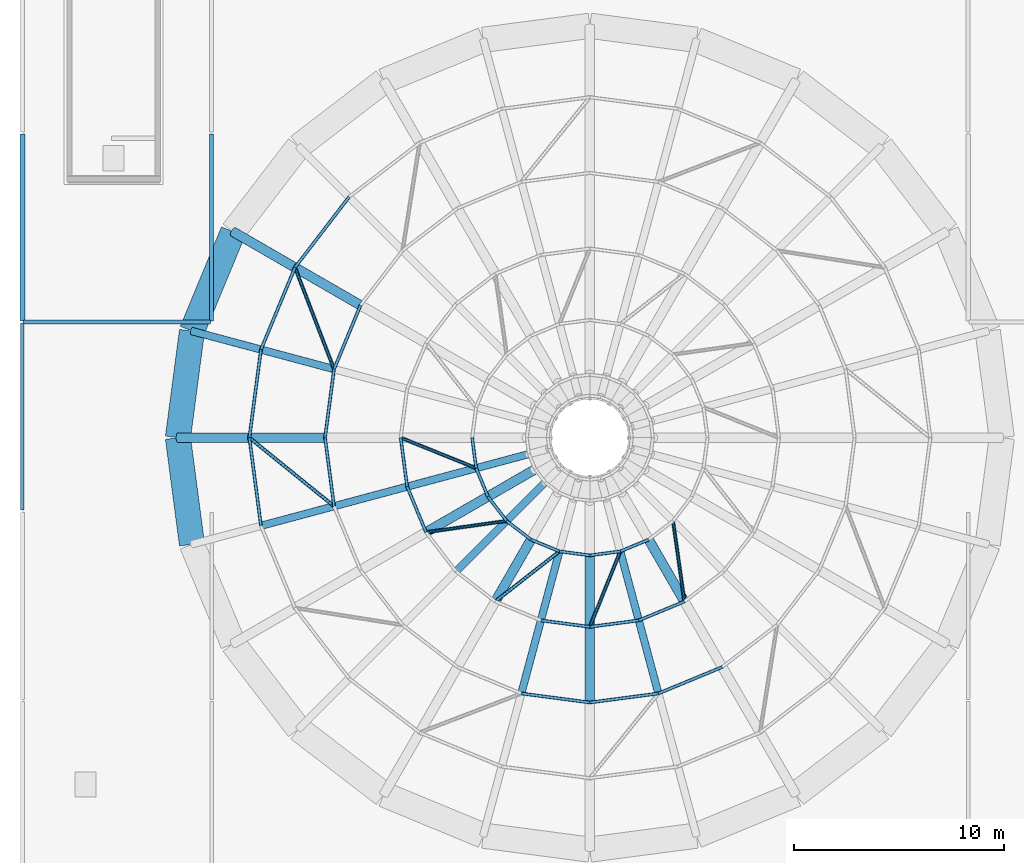
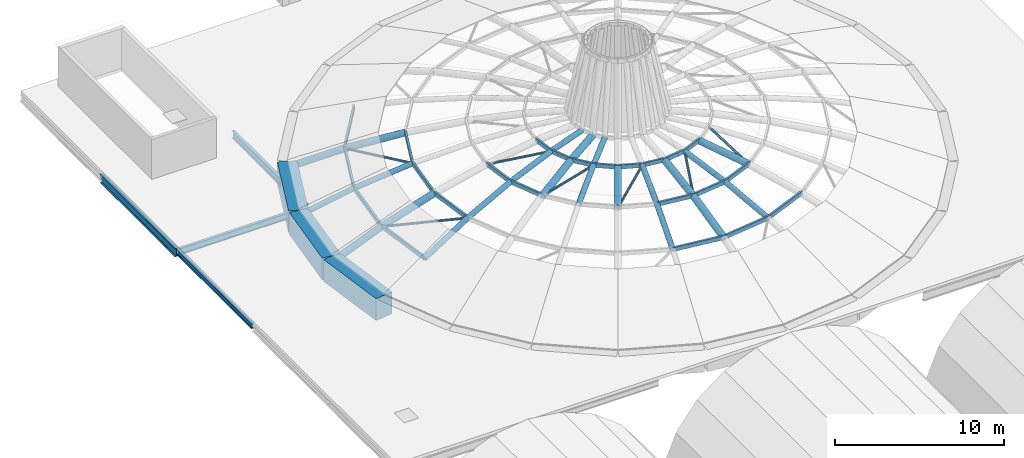
# One storey, part 8 of 25: 52 members, 7 beams.
"""IFC4 building model written with IfcOpenShell, lengths in metres."""

from ifc_helpers import new_model, si_unit, direction, frame, origin, origin_2d, place, context, subcontext, project, spatial, rectangle, hollow_rectangle, hollow_circle, i_section, extrude, material, material_profile, profile_set, type_object, element, save


model = new_model("IFC4")

# Units and contexts
model_context = context("Model", 3, precision=1e-05, world=origin(), true_north=direction((0.0, 1.0)))
body_context = subcontext(model_context, "Body", "Model", "MODEL_VIEW")
ifc_project = project(units=[si_unit("LENGTHUNIT", "METRE"), si_unit("AREAUNIT", "SQUARE_METRE"), si_unit("VOLUMEUNIT", "CUBIC_METRE"), si_unit("PLANEANGLEUNIT", "RADIAN"), si_unit("MASSUNIT", "GRAM", prefix="KILO")], contexts=[model_context])

# Site, building, storey
site_placement = place(None, origin())
site = spatial("IfcSite", under=ifc_project, at=site_placement, CompositionType="ELEMENT")
building_placement = place(site_placement, origin())
building = spatial("IfcBuilding", under=site, at=building_placement, Name="Marnock Terrace Opera House", CompositionType="ELEMENT")
storey_placement = place(building_placement, frame((0.0, 0.0, 28.199951171875)))
storey = spatial("IfcBuildingStorey", under=building, at=storey_placement, Name="RF", CompositionType="ELEMENT", Elevation=28.199951171875)

# Beams
ifc_material_1 = material(Name="Steel Grade 350 (AS/NZS 3679.1)", Category="steel")
ifc_material_profile_1 = material_profile(ifc_material_1, i_section(OverallWidth=0.1708984375, OverallDepth=0.355712890625, WebThickness=0.00732421875, FlangeThickness=0.011474609375, FilletRadius=0.011474609375, at=origin_2d()))
ifc_profile_set_1 = profile_set([ifc_material_profile_1], Name="Steel Grade 350 (AS/NZS 3679.1)")
beam_type_1 = type_object("IfcBeamType", Name="BM-GIRD-360", PredefinedType="BEAM", material=ifc_profile_set_1)
beam_1_placement = place(storey_placement, frame((55.0, 57.050048828125, -0.397705078125), z_axis=(0.0, 1.0, 0.0), x_axis=(-1.0, 0.0, 0.0)))
element("IfcBeam", 1, at=beam_1_placement, inside=storey, type_object=beam_type_1, Name="RF girder (X=55.0, 57.0..66.0)", PredefinedType="BEAM", context=body_context, shape_type="SweptSolid", body=[
    extrude(i_section(OverallWidth=0.1708984375, OverallDepth=0.355712890625, WebThickness=0.00732421875, FlangeThickness=0.011474609375, FilletRadius=0.011474609375, at=origin_2d()), origin(), (0.0, 0.0, 1.0), 8.89990234375),
])
ifc_material_profile_2 = material_profile(ifc_material_1, i_section(OverallWidth=0.19091796875, OverallDepth=0.46044921875, WebThickness=0.010009765625, FlangeThickness=0.01611328125, FilletRadius=0.011474609375, at=origin_2d()))
ifc_profile_set_2 = profile_set([ifc_material_profile_2], Name="Steel Grade 350 (AS/NZS 3679.1)")
beam_type_2 = type_object("IfcBeamType", Name="BM-GIRD-460A", PredefinedType="BEAM", material=ifc_profile_set_2)
beam_2_placement = place(storey_placement, frame((55.050048828125, 66.0, -0.4501953125), z_axis=(1.0, 0.0, 0.0), x_axis=(0.0, 1.0, 0.0)))
element("IfcBeam", 2, at=beam_2_placement, inside=storey, type_object=beam_type_2, Name="RF girder (55.0..64.0, Y=66.0)", PredefinedType="BEAM", context=body_context, shape_type="SweptSolid", body=[
    extrude(i_section(OverallWidth=0.19091796875, OverallDepth=0.46044921875, WebThickness=0.010009765625, FlangeThickness=0.01611328125, FilletRadius=0.011474609375, at=origin_2d()), origin(), (0.0, 0.0, 1.0), 8.89990234375),
])
ifc_material_profile_3 = material_profile(ifc_material_1, i_section(OverallWidth=0.208984375, OverallDepth=0.528076171875, WebThickness=0.009521484375, FlangeThickness=0.01318359375, FilletRadius=0.013916015625, at=origin_2d()))
ifc_profile_set_3 = profile_set([ifc_material_profile_3], Name="Steel Grade 350 (AS/NZS 3679.1)")
beam_type_3 = type_object("IfcBeamType", Name="BM-GIRD-530B", PredefinedType="BEAM", material=ifc_profile_set_3)
beam_3_placement = place(storey_placement, frame((64.0, 66.050048828125, -0.48388671875), z_axis=(0.0, 1.0, 0.0), x_axis=(-1.0, 0.0, 0.0)))
element("IfcBeam", 3, at=beam_3_placement, inside=storey, type_object=beam_type_3, Name="RF girder (X=64.0, 66.0..75.0)", PredefinedType="BEAM", context=body_context, shape_type="SweptSolid", body=[
    extrude(i_section(OverallWidth=0.208984375, OverallDepth=0.528076171875, WebThickness=0.009521484375, FlangeThickness=0.01318359375, FilletRadius=0.013916015625, at=origin_2d()), origin(), (0.0, 0.0, 1.0), 8.89990234375),
])
ifc_material_profile_4 = material_profile(ifc_material_1, i_section(OverallWidth=0.22802734375, OverallDepth=0.60205078125, WebThickness=0.010498046875, FlangeThickness=0.014892578125, FilletRadius=0.013916015625, at=origin_2d()))
ifc_profile_set_4 = profile_set([ifc_material_profile_4], Name="Steel Grade 350 (AS/NZS 3679.1)")
beam_type_4 = type_object("IfcBeamType", Name="BM-GIRD-610C", PredefinedType="BEAM", material=ifc_profile_set_4)
beam_4_placement = place(storey_placement, frame((55.0, 66.050048828125, -0.52099609375), z_axis=(0.0, 1.0, 0.0), x_axis=(-1.0, 0.0, 0.0)))
element("IfcBeam", 4, at=beam_4_placement, inside=storey, type_object=beam_type_4, Name="RF girder (X=55.0, 66.0..75.0)", PredefinedType="BEAM", context=body_context, shape_type="SweptSolid", body=[
    extrude(i_section(OverallWidth=0.22802734375, OverallDepth=0.60205078125, WebThickness=0.010498046875, FlangeThickness=0.014892578125, FilletRadius=0.013916015625, at=origin_2d()), origin(), (0.0, 0.0, 1.0), 8.89990234375),
])
ifc_material_2 = material(Name="Concrete N50 (f'c = 50 MPa)", Category="concrete")
ifc_material_profile_5 = material_profile(ifc_material_2, rectangle(XDim=1.199951171875, YDim=1.60009765625, at=origin_2d()))
ifc_profile_set_5 = profile_set([ifc_material_profile_5], Name="Concrete N50 (f'c = 50 MPa)")
beam_type_5 = type_object("IfcBeamType", Name="BM-RING-RC1200", PredefinedType="BEAM", material=ifc_profile_set_5)
beam_5_placement = place(storey_placement, frame((65.02587890625, 70.300048828125, -0.800048828125), z_axis=(-0.382642581018, -0.923896452635, 0.0), x_axis=(0.923896452635, -0.382642581018, 0.0)))
element("IfcBeam", 5, at=beam_5_placement, inside=storey, type_object=beam_type_5, Name="Auditorium drum Concrete N50 ring beam segment 11", PredefinedType="BEAM", context=body_context, shape_type="SweptSolid", body=[
    extrude(rectangle(XDim=1.199951171875, YDim=1.60009765625, at=origin_2d()), origin(), (0.0, 0.0, 1.0), 5.116455078125),
])
for number, where, z_axis, x_axis, name in (
    (6, (63.068115234375, 65.572998046875, -0.800048828125), (-0.130591512704, -0.99143625958, 0.0), (0.99143625958, -0.130591512704, 0.0), "Auditorium drum Concrete N50 ring beam segment 12"),
    (7, (62.39990234375, 60.5, -0.800048828125), (0.130591512704, -0.99143625958, 0.0), (0.99143625958, 0.130591512704, 0.0), "Auditorium drum Concrete N50 ring beam segment 13"),
):
    element("IfcBeam", number, at=place(storey_placement, frame(where, z_axis=z_axis, x_axis=x_axis)), inside=storey, type_object=beam_type_5, Name=name, PredefinedType="BEAM", context=body_context, shape_type="SweptSolid", body=[
        extrude(rectangle(XDim=1.199951171875, YDim=1.60009765625, at=origin_2d()), origin(), (0.0, 0.0, 1.0), 5.11669921875),
    ])

# Members
ifc_material_3 = material(Name="Cold-formed Steel Grade C350L0 (AS/NZS 1163)", Category="steel")
ifc_material_profile_6 = material_profile(ifc_material_3, hollow_circle(Radius=0.084228515625, WallThickness=0.007080078125, at=origin_2d()))
ifc_profile_set_6 = profile_set([ifc_material_profile_6], Name="Cold-formed Steel Grade C350L0 (AS/NZS 1163)")
member_type_1 = type_object("IfcMemberType", Name="MEM-BRACE-CHS2", PredefinedType="BRACE", material=ifc_profile_set_6)
for number, where, z_axis, x_axis, name in (
    (8, (67.970458984375, 68.60009765625, 0.932861328125), (0.349429396541, -0.9095995061, 0.224783974817), (0.933488769073, 0.358606634093, 0.0), "Auditorium dome diagonal shell brace 1.11"),
    (9, (65.800048828125, 60.5, 0.932861328125), (0.757408080291, -0.613030606915, 0.224780948695), (0.629130483075, 0.777299707491, 0.0), "Auditorium dome diagonal shell brace 1.13"),
):
    element("IfcMember", number, at=place(storey_placement, frame(where, z_axis=z_axis, x_axis=x_axis)), inside=storey, type_object=member_type_1, Name=name, PredefinedType="BRACE", context=body_context, shape_type="SweptSolid", body=[
        extrude(hollow_circle(Radius=0.084228515625, WallThickness=0.007080078125, at=origin_2d()), origin(), (0.0, 0.0, 1.0), 5.31982421875),
    ])
for number, where, z_axis, x_axis, name in (
    (10, (73.0, 60.5, 2.915283203125), (0.917112191808, -0.370199556892, 0.147842875087), (0.374312933538, 0.92730244677, 0.0), "Auditorium dome diagonal shell brace 3.13"),
    (11, (74.205810546875, 56.0, 2.915283203125), (0.97933723571, 0.137990150428, 0.147842135863), (-0.139523376713, 0.990218777519, 0.0), "Auditorium dome diagonal shell brace 3.15"),
    (12, (77.5, 52.705810546875, 2.915283203125), (0.779143840426, 0.609160158233, 0.147847142509), (-0.615929081092, 0.787801603873, 0.0), "Auditorium dome diagonal shell brace 3.17"),
    (13, (82.0, 51.5, 2.915283203125), (0.370199556892, 0.917112191808, 0.147842875087), (-0.92730244677, 0.374312933538, 0.0), "Auditorium dome diagonal shell brace 3.19"),
    (14, (86.5, 52.705810546875, 2.915283203125), (-0.137990150428, 0.97933723571, 0.147842135863), (-0.990218777519, -0.139523376713, 0.0), "Auditorium dome diagonal shell brace 3.21"),
):
    element("IfcMember", number, at=place(storey_placement, frame(where, z_axis=z_axis, x_axis=x_axis)), inside=storey, type_object=member_type_1, Name=name, PredefinedType="BRACE", context=body_context, shape_type="SweptSolid", body=[
        extrude(hollow_circle(Radius=0.084228515625, WallThickness=0.007080078125, at=origin_2d()), origin(), (0.0, 0.0, 1.0), 3.915283203125),
    ])
ifc_material_profile_7 = material_profile(ifc_material_3, hollow_circle(Radius=0.228515625, WallThickness=0.0126953125, at=origin_2d()))
ifc_profile_set_7 = profile_set([ifc_material_profile_7], Name="Cold-formed Steel Grade C350L0 (AS/NZS 1163)")
member_type_2 = type_object("IfcMemberType", Name="MEM-DOME-RIB1", PredefinedType="RAFTER", material=ifc_profile_set_7)
member_1_placement = place(storey_placement, frame((65.02587890625, 70.300048828125, -0.447509765625), z_axis=(0.802429941568, -0.463255093536, 0.376166063313), x_axis=(0.499977295307, 0.866038511948, 0.0)))
element("IfcMember", 15, at=member_1_placement, inside=storey, type_object=member_type_2, Name="Auditorium dome meridian steel rib 11.1", PredefinedType="RAFTER", context=body_context, shape_type="SweptSolid", body=[
    extrude(hollow_circle(Radius=0.228515625, WallThickness=0.0126953125, at=origin_2d()), origin(), (0.0, 0.0, 1.0), 3.669677734375),
])
member_2_placement = place(storey_placement, frame((67.970458984375, 68.60009765625, 0.932861328125), z_axis=(0.825393435403, -0.476556444732, 0.302687349882), x_axis=(0.500012057535, 0.866018442252, 0.0)))
element("IfcMember", 16, at=member_2_placement, inside=storey, type_object=member_type_2, Name="Auditorium dome meridian steel rib 11.2", PredefinedType="RAFTER", context=body_context, shape_type="SweptSolid", body=[
    extrude(hollow_circle(Radius=0.228515625, WallThickness=0.0126953125, at=origin_2d()), origin(), (0.0, 0.0, 1.0), 3.777099609375),
])
member_3_placement = place(storey_placement, frame((62.39990234375, 60.5, -0.447509765625), z_axis=(0.926555721782, 0.0, 0.376157539381), x_axis=(0.0, 1.0, 0.0)))
element("IfcMember", 17, at=member_3_placement, inside=storey, type_object=member_type_2, Name="Auditorium dome meridian steel rib 13.1", PredefinedType="RAFTER", context=body_context, shape_type="SweptSolid", body=[
    extrude(hollow_circle(Radius=0.228515625, WallThickness=0.0126953125, at=origin_2d()), origin(), (0.0, 0.0, 1.0), 3.669677734375),
])
member_4_placement = place(storey_placement, frame((65.800048828125, 60.5, 0.932861328125), z_axis=(0.95308608931, 0.0, 0.30269936631), x_axis=(0.0, 1.0, 0.0)))
element("IfcMember", 18, at=member_4_placement, inside=storey, type_object=member_type_2, Name="Auditorium dome meridian steel rib 13.2", PredefinedType="RAFTER", context=body_context, shape_type="SweptSolid", body=[
    extrude(hollow_circle(Radius=0.228515625, WallThickness=0.0126953125, at=origin_2d()), origin(), (0.0, 0.0, 1.0), 3.777099609375),
])
member_5_placement = place(storey_placement, frame((74.205810546875, 56.0, 2.915283203125), z_axis=(0.855768624059, 0.494089297622, 0.15341391088), x_axis=(-0.500008388397, 0.866020560687, 0.0)))
element("IfcMember", 19, at=member_5_placement, inside=storey, type_object=member_type_2, Name="Auditorium dome meridian steel rib 15.4", PredefinedType="RAFTER", context=body_context, shape_type="SweptSolid", body=[
    extrude(hollow_circle(Radius=0.228515625, WallThickness=0.0126953125, at=origin_2d()), origin(), (0.0, 0.0, 1.0), 3.440673828125),
])
member_6_placement = place(storey_placement, frame((77.150146484375, 57.699951171875, 3.443115234375), z_axis=(0.862480644975, 0.497962640626, 0.090334631145), x_axis=(-0.500006934395, 0.866021400173, 0.0)))
element("IfcMember", 20, at=member_6_placement, inside=storey, type_object=member_type_2, Name="Auditorium dome meridian steel rib 15.5", PredefinedType="RAFTER", context=body_context, shape_type="SweptSolid", body=[
    extrude(hollow_circle(Radius=0.228515625, WallThickness=0.0126953125, at=origin_2d()), origin(), (0.0, 0.0, 1.0), 2.61083984375),
])
member_7_placement = place(storey_placement, frame((77.5, 52.705810546875, 2.915283203125), z_axis=(0.494089297622, 0.855768624059, 0.15341391088), x_axis=(-0.866020560687, 0.500008388397, 0.0)))
element("IfcMember", 21, at=member_7_placement, inside=storey, type_object=member_type_2, Name="Auditorium dome meridian steel rib 17.4", PredefinedType="RAFTER", context=body_context, shape_type="SweptSolid", body=[
    extrude(hollow_circle(Radius=0.228515625, WallThickness=0.0126953125, at=origin_2d()), origin(), (0.0, 0.0, 1.0), 3.440673828125),
])
member_8_placement = place(storey_placement, frame((82.0, 47.89990234375, 2.076171875), z_axis=(0.0, 0.973895743392, 0.226995773094), x_axis=(-1.0, 0.0, 0.0)))
element("IfcMember", 22, at=member_8_placement, inside=storey, type_object=member_type_2, Name="Auditorium dome meridian steel rib 19.3", PredefinedType="RAFTER", context=body_context, shape_type="SweptSolid", body=[
    extrude(hollow_circle(Radius=0.228515625, WallThickness=0.0126953125, at=origin_2d()), origin(), (0.0, 0.0, 1.0), 3.696533203125),
])
for number, where, z_axis, x_axis, name in (
    (23, (82.0, 51.5, 2.915283203125), (0.0, 0.988162407226, 0.153411397704), (-1.0, 0.0, 0.0), "Auditorium dome meridian steel rib 19.4"),
    (24, (86.5, 52.705810546875, 2.915283203125), (-0.494089297622, 0.855768624059, 0.15341391088), (-0.866020560687, -0.500008388397, 0.0), "Auditorium dome meridian steel rib 21.4"),
):
    element("IfcMember", number, at=place(storey_placement, frame(where, z_axis=z_axis, x_axis=x_axis)), inside=storey, type_object=member_type_2, Name=name, PredefinedType="RAFTER", context=body_context, shape_type="SweptSolid", body=[
        extrude(hollow_circle(Radius=0.228515625, WallThickness=0.0126953125, at=origin_2d()), origin(), (0.0, 0.0, 1.0), 3.440673828125),
    ])
ifc_material_profile_8 = material_profile(ifc_material_3, hollow_circle(Radius=0.177734375, WallThickness=0.0126953125, at=origin_2d()))
ifc_profile_set_8 = profile_set([ifc_material_profile_8], Name="Cold-formed Steel Grade C350L0 (AS/NZS 1163)")
member_type_3 = type_object("IfcMemberType", Name="MEM-DOME-RIB2", PredefinedType="RAFTER", material=ifc_profile_set_8)
member_9_placement = place(storey_placement, frame((63.06787109375, 65.57275390625, -0.39208984375), z_axis=(0.895120689773, -0.239816753341, 0.375828252739), x_axis=(0.258788726886, 0.965933949521, 0.0)))
element("IfcMember", 25, at=member_9_placement, inside=storey, type_object=member_type_3, Name="Auditorium dome meridian steel rib 12.1", PredefinedType="RAFTER", context=body_context, shape_type="SweptSolid", body=[
    extrude(hollow_circle(Radius=0.177734375, WallThickness=0.0126953125, at=origin_2d()), origin(), (0.0, 0.0, 1.0), 3.6689453125),
])
for number, where, z_axis, x_axis, name in (
    (26, (66.35205078125, 64.69287109375, 0.98681640625), (0.920726875338, -0.246682142546, 0.302340770621), (0.258793712962, 0.96593261366, 0.0), "Auditorium dome meridian steel rib 12.2"),
    (27, (66.35205078125, 56.30712890625, 0.98681640625), (0.920726875338, 0.246682142546, 0.302340770621), (-0.258793712962, 0.96593261366, 0.0), "Auditorium dome meridian steel rib 14.2"),
):
    element("IfcMember", number, at=place(storey_placement, frame(where, z_axis=z_axis, x_axis=x_axis)), inside=storey, type_object=member_type_3, Name=name, PredefinedType="RAFTER", context=body_context, shape_type="SweptSolid", body=[
        extrude(hollow_circle(Radius=0.177734375, WallThickness=0.0126953125, at=origin_2d()), origin(), (0.0, 0.0, 1.0), 3.776611328125),
    ])
member_10_placement = place(storey_placement, frame((69.829345703125, 57.23876953125, 2.128662109375), z_axis=(0.940756200194, 0.252114471399, 0.226751108282), x_axis=(-0.258856987296, 0.96591565891, 0.0)))
element("IfcMember", 28, at=member_10_placement, inside=storey, type_object=member_type_3, Name="Auditorium dome meridian steel rib 14.3", PredefinedType="RAFTER", context=body_context, shape_type="SweptSolid", body=[
    extrude(hollow_circle(Radius=0.177734375, WallThickness=0.0126953125, at=origin_2d()), origin(), (0.0, 0.0, 1.0), 3.6962890625),
])
member_11_placement = place(storey_placement, frame((73.306640625, 58.170654296875, 2.966796875), z_axis=(0.954521061938, 0.255731036814, 0.153268323951), x_axis=(-0.258788726886, 0.965933949521, 0.0)))
element("IfcMember", 29, at=member_11_placement, inside=storey, type_object=member_type_3, Name="Auditorium dome meridian steel rib 14.4", PredefinedType="RAFTER", context=body_context, shape_type="SweptSolid", body=[
    extrude(hollow_circle(Radius=0.177734375, WallThickness=0.0126953125, at=origin_2d()), origin(), (0.0, 0.0, 1.0), 3.440673828125),
])
member_12_placement = place(storey_placement, frame((76.5908203125, 59.050537109375, 3.494140625), z_axis=(0.961970687285, 0.257815999304, 0.090240275418), x_axis=(-0.258872191831, 0.965911584099, 0.0)))
element("IfcMember", 30, at=member_12_placement, inside=storey, type_object=member_type_3, Name="Auditorium dome meridian steel rib 14.5", PredefinedType="RAFTER", context=body_context, shape_type="SweptSolid", body=[
    extrude(hollow_circle(Radius=0.177734375, WallThickness=0.0126953125, at=origin_2d()), origin(), (0.0, 0.0, 1.0), 2.61083984375),
])
member_13_placement = place(storey_placement, frame((75.635986328125, 54.135986328125, 2.966796875), z_axis=(0.698752930171, 0.698752930171, 0.153260187771), x_axis=(-0.707106781187, 0.707106781187, 0.0)))
element("IfcMember", 31, at=member_13_placement, inside=storey, type_object=member_type_3, Name="Auditorium dome meridian steel rib 16.4", PredefinedType="RAFTER", context=body_context, shape_type="SweptSolid", body=[
    extrude(hollow_circle(Radius=0.177734375, WallThickness=0.0126953125, at=origin_2d()), origin(), (0.0, 0.0, 1.0), 3.44091796875),
])
member_14_placement = place(storey_placement, frame((78.040283203125, 56.540283203125, 3.494140625), z_axis=(0.704221255346, 0.704221255346, 0.090248806296), x_axis=(-0.707106781187, 0.707106781187, 0.0)))
element("IfcMember", 32, at=member_14_placement, inside=storey, type_object=member_type_3, Name="Auditorium dome meridian steel rib 16.5", PredefinedType="RAFTER", context=body_context, shape_type="SweptSolid", body=[
    extrude(hollow_circle(Radius=0.177734375, WallThickness=0.0126953125, at=origin_2d()), origin(), (0.0, 0.0, 1.0), 2.610595703125),
])
member_15_placement = place(storey_placement, frame((78.73876953125, 48.329345703125, 2.128662109375), z_axis=(0.252114471399, 0.940756200194, 0.226751108282), x_axis=(-0.96591565891, 0.258856987296, 0.0)))
element("IfcMember", 33, at=member_15_placement, inside=storey, type_object=member_type_3, Name="Auditorium dome meridian steel rib 18.3", PredefinedType="RAFTER", context=body_context, shape_type="SweptSolid", body=[
    extrude(hollow_circle(Radius=0.177734375, WallThickness=0.0126953125, at=origin_2d()), origin(), (0.0, 0.0, 1.0), 3.6962890625),
])
member_16_placement = place(storey_placement, frame((79.670654296875, 51.806640625, 2.966796875), z_axis=(0.255731036814, 0.954521061938, 0.153268323951), x_axis=(-0.965933949521, 0.258788726886, 0.0)))
element("IfcMember", 34, at=member_16_placement, inside=storey, type_object=member_type_3, Name="Auditorium dome meridian steel rib 18.4", PredefinedType="RAFTER", context=body_context, shape_type="SweptSolid", body=[
    extrude(hollow_circle(Radius=0.177734375, WallThickness=0.0126953125, at=origin_2d()), origin(), (0.0, 0.0, 1.0), 3.440673828125),
])
member_17_placement = place(storey_placement, frame((85.26123046875, 48.329345703125, 2.128662109375), z_axis=(-0.252114471399, 0.940756200194, 0.226751108282), x_axis=(-0.96591565891, -0.258856987296, 0.0)))
element("IfcMember", 35, at=member_17_placement, inside=storey, type_object=member_type_3, Name="Auditorium dome meridian steel rib 20.3", PredefinedType="RAFTER", context=body_context, shape_type="SweptSolid", body=[
    extrude(hollow_circle(Radius=0.177734375, WallThickness=0.0126953125, at=origin_2d()), origin(), (0.0, 0.0, 1.0), 3.6962890625),
])
member_18_placement = place(storey_placement, frame((84.329345703125, 51.806640625, 2.966796875), z_axis=(-0.255731036814, 0.954521061938, 0.153268323951), x_axis=(-0.965933949521, -0.258788726886, 0.0)))
element("IfcMember", 36, at=member_18_placement, inside=storey, type_object=member_type_3, Name="Auditorium dome meridian steel rib 20.4", PredefinedType="RAFTER", context=body_context, shape_type="SweptSolid", body=[
    extrude(hollow_circle(Radius=0.177734375, WallThickness=0.0126953125, at=origin_2d()), origin(), (0.0, 0.0, 1.0), 3.440673828125),
])
ifc_material_profile_9 = material_profile(ifc_material_3, hollow_rectangle(XDim=0.14990234375, YDim=0.300048828125, WallThickness=0.010009765625, InnerFilletRadius=0.010009765625, OuterFilletRadius=0.02001953125, at=origin_2d()))
ifc_profile_set_9 = profile_set([ifc_material_profile_9], Name="Cold-formed Steel Grade C350L0 (AS/NZS 1163)")
member_type_4 = type_object("IfcMemberType", Name="MEM-DOME-RING1", PredefinedType="PURLIN", material=ifc_profile_set_9)
member_19_placement = place(storey_placement, frame((70.544921875, 71.955078125, 1.000732421875), z_axis=(-0.608775692151, -0.793342395594, 0.0), x_axis=(0.793342395594, -0.608775692151, 0.0)))
element("IfcMember", 37, at=member_19_placement, inside=storey, type_object=member_type_4, Name="Auditorium dome latitude purlin ring 1.10", PredefinedType="PURLIN", context=body_context, shape_type="SweptSolid", body=[
    extrude(hollow_rectangle(XDim=0.14990234375, YDim=0.300048828125, WallThickness=0.010009765625, InnerFilletRadius=0.010009765625, OuterFilletRadius=0.02001953125, at=origin_2d()), origin(), (0.0, 0.0, 1.0), 4.22900390625),
])
member_20_placement = place(storey_placement, frame((67.970458984375, 68.60009765625, 1.000732421875), z_axis=(-0.382679793365, -0.923881039826, 0.0), x_axis=(0.923881039826, -0.382679793365, 0.0)))
element("IfcMember", 38, at=member_20_placement, inside=storey, type_object=member_type_4, Name="Auditorium dome latitude purlin ring 1.11", PredefinedType="PURLIN", context=body_context, shape_type="SweptSolid", body=[
    extrude(hollow_rectangle(XDim=0.14990234375, YDim=0.300048828125, WallThickness=0.010009765625, InnerFilletRadius=0.010009765625, OuterFilletRadius=0.02001953125, at=origin_2d()), origin(), (0.0, 0.0, 1.0), 4.229248046875),
])
member_21_placement = place(storey_placement, frame((71.088134765625, 66.800048828125, 2.14453125), z_axis=(-0.382701411628, -0.923872085052, 0.0), x_axis=(0.923872085052, -0.382701411628, 0.0)))
element("IfcMember", 39, at=member_21_placement, inside=storey, type_object=member_type_4, Name="Auditorium dome latitude purlin ring 2.11", PredefinedType="PURLIN", context=body_context, shape_type="SweptSolid", body=[
    extrude(hollow_rectangle(XDim=0.14990234375, YDim=0.300048828125, WallThickness=0.010009765625, InnerFilletRadius=0.010009765625, OuterFilletRadius=0.02001953125, at=origin_2d()), origin(), (0.0, 0.0, 1.0), 3.289306640625),
])
member_22_placement = place(storey_placement, frame((66.35205078125, 64.69287109375, 1.000732421875), z_axis=(-0.130526192585, -0.991444861326, 0.0), x_axis=(0.991444861326, -0.130526192585, 0.0)))
element("IfcMember", 40, at=member_22_placement, inside=storey, type_object=member_type_4, Name="Auditorium dome latitude purlin ring 1.12", PredefinedType="PURLIN", context=body_context, shape_type="SweptSolid", body=[
    extrude(hollow_rectangle(XDim=0.14990234375, YDim=0.300048828125, WallThickness=0.010009765625, InnerFilletRadius=0.010009765625, OuterFilletRadius=0.02001953125, at=origin_2d()), origin(), (0.0, 0.0, 1.0), 4.22900390625),
])
member_23_placement = place(storey_placement, frame((69.829345703125, 63.76123046875, 2.14453125), z_axis=(-0.130554348709, -0.991441154095, 0.0), x_axis=(0.991441154095, -0.130554348709, 0.0)))
element("IfcMember", 41, at=member_23_placement, inside=storey, type_object=member_type_4, Name="Auditorium dome latitude purlin ring 2.12", PredefinedType="PURLIN", context=body_context, shape_type="SweptSolid", body=[
    extrude(hollow_rectangle(XDim=0.14990234375, YDim=0.300048828125, WallThickness=0.010009765625, InnerFilletRadius=0.010009765625, OuterFilletRadius=0.02001953125, at=origin_2d()), origin(), (0.0, 0.0, 1.0), 3.289306640625),
])
member_24_placement = place(storey_placement, frame((65.800048828125, 60.5, 1.000732421875), z_axis=(0.130526192585, -0.991444861326, 0.0), x_axis=(0.991444861326, 0.130526192585, 0.0)))
element("IfcMember", 42, at=member_24_placement, inside=storey, type_object=member_type_4, Name="Auditorium dome latitude purlin ring 1.13", PredefinedType="PURLIN", context=body_context, shape_type="SweptSolid", body=[
    extrude(hollow_rectangle(XDim=0.14990234375, YDim=0.300048828125, WallThickness=0.010009765625, InnerFilletRadius=0.010009765625, OuterFilletRadius=0.02001953125, at=origin_2d()), origin(), (0.0, 0.0, 1.0), 4.22900390625),
])
member_25_placement = place(storey_placement, frame((69.39990234375, 60.5, 2.14453125), z_axis=(0.130554348709, -0.991441154095, 0.0), x_axis=(0.991441154095, 0.130554348709, 0.0)))
element("IfcMember", 43, at=member_25_placement, inside=storey, type_object=member_type_4, Name="Auditorium dome latitude purlin ring 2.13", PredefinedType="PURLIN", context=body_context, shape_type="SweptSolid", body=[
    extrude(hollow_rectangle(XDim=0.14990234375, YDim=0.300048828125, WallThickness=0.010009765625, InnerFilletRadius=0.010009765625, OuterFilletRadius=0.02001953125, at=origin_2d()), origin(), (0.0, 0.0, 1.0), 3.289306640625),
])
member_26_placement = place(storey_placement, frame((73.0, 60.5, 2.985595703125), z_axis=(0.130516337425, -0.991446158732, 0.0), x_axis=(0.991446158732, 0.130516337425, 0.0)))
element("IfcMember", 44, at=member_26_placement, inside=storey, type_object=member_type_4, Name="Auditorium dome latitude purlin ring 3.13", PredefinedType="PURLIN", context=body_context, shape_type="SweptSolid", body=[
    extrude(hollow_rectangle(XDim=0.14990234375, YDim=0.300048828125, WallThickness=0.010009765625, InnerFilletRadius=0.010009765625, OuterFilletRadius=0.02001953125, at=origin_2d()), origin(), (0.0, 0.0, 1.0), 2.349365234375),
])
member_27_placement = place(storey_placement, frame((76.39990234375, 60.5, 3.516357421875), z_axis=(0.130588423975, -0.991436666421, 0.0), x_axis=(0.991436666421, 0.130588423975, 0.0)))
element("IfcMember", 45, at=member_27_placement, inside=storey, type_object=member_type_4, Name="Auditorium dome latitude purlin ring 4.13", PredefinedType="PURLIN", context=body_context, shape_type="SweptSolid", body=[
    extrude(hollow_rectangle(XDim=0.14990234375, YDim=0.300048828125, WallThickness=0.010009765625, InnerFilletRadius=0.010009765625, OuterFilletRadius=0.02001953125, at=origin_2d()), origin(), (0.0, 0.0, 1.0), 1.4619140625),
])
member_28_placement = place(storey_placement, frame((73.306640625, 58.170654296875, 2.985595703125), z_axis=(0.382703584926, -0.92387118479, 0.0), x_axis=(0.92387118479, 0.382703584926, 0.0)))
element("IfcMember", 46, at=member_28_placement, inside=storey, type_object=member_type_4, Name="Auditorium dome latitude purlin ring 3.14", PredefinedType="PURLIN", context=body_context, shape_type="SweptSolid", body=[
    extrude(hollow_rectangle(XDim=0.14990234375, YDim=0.300048828125, WallThickness=0.010009765625, InnerFilletRadius=0.010009765625, OuterFilletRadius=0.02001953125, at=origin_2d()), origin(), (0.0, 0.0, 1.0), 2.349609375),
])
for number, where, z_axis, x_axis, name in (
    (47, (76.5908203125, 59.050537109375, 3.516357421875), (0.382622215492, -0.923904886994, 0.0), (0.923904886994, 0.382622215492, 0.0), "Auditorium dome latitude purlin ring 4.14"),
    (48, (77.150146484375, 57.699951171875, 3.516357421875), (0.608887220492, -0.793256801245, 0.0), (0.793256801245, 0.608887220492, 0.0), "Auditorium dome latitude purlin ring 4.15"),
    (49, (78.040283203125, 56.540283203125, 3.516357421875), (0.793256801245, -0.608887220492, 0.0), (0.608887220492, 0.793256801245, 0.0), "Auditorium dome latitude purlin ring 4.16"),
    (50, (79.199951171875, 55.650146484375, 3.516357421875), (0.923904886994, -0.382622215492, 0.0), (0.382622215492, 0.923904886994, 0.0), "Auditorium dome latitude purlin ring 4.17"),
):
    element("IfcMember", number, at=place(storey_placement, frame(where, z_axis=z_axis, x_axis=x_axis)), inside=storey, type_object=member_type_4, Name=name, PredefinedType="PURLIN", context=body_context, shape_type="SweptSolid", body=[
        extrude(hollow_rectangle(XDim=0.14990234375, YDim=0.300048828125, WallThickness=0.010009765625, InnerFilletRadius=0.010009765625, OuterFilletRadius=0.02001953125, at=origin_2d()), origin(), (0.0, 0.0, 1.0), 1.4619140625),
    ])
member_29_placement = place(storey_placement, frame((78.73876953125, 48.329345703125, 2.14453125), z_axis=(0.991441154095, -0.130554348709, 0.0), x_axis=(0.130554348709, 0.991441154095, 0.0)))
element("IfcMember", 51, at=member_29_placement, inside=storey, type_object=member_type_4, Name="Auditorium dome latitude purlin ring 2.18", PredefinedType="PURLIN", context=body_context, shape_type="SweptSolid", body=[
    extrude(hollow_rectangle(XDim=0.14990234375, YDim=0.300048828125, WallThickness=0.010009765625, InnerFilletRadius=0.010009765625, OuterFilletRadius=0.02001953125, at=origin_2d()), origin(), (0.0, 0.0, 1.0), 3.289306640625),
])
member_30_placement = place(storey_placement, frame((79.670654296875, 51.806640625, 2.985595703125), z_axis=(0.991446158732, -0.130516337425, 0.0), x_axis=(0.130516337425, 0.991446158732, 0.0)))
element("IfcMember", 52, at=member_30_placement, inside=storey, type_object=member_type_4, Name="Auditorium dome latitude purlin ring 3.18", PredefinedType="PURLIN", context=body_context, shape_type="SweptSolid", body=[
    extrude(hollow_rectangle(XDim=0.14990234375, YDim=0.300048828125, WallThickness=0.010009765625, InnerFilletRadius=0.010009765625, OuterFilletRadius=0.02001953125, at=origin_2d()), origin(), (0.0, 0.0, 1.0), 2.349365234375),
])
member_31_placement = place(storey_placement, frame((80.550537109375, 55.0908203125, 3.516357421875), z_axis=(0.991436666421, -0.130588423975, 0.0), x_axis=(0.130588423975, 0.991436666421, 0.0)))
element("IfcMember", 53, at=member_31_placement, inside=storey, type_object=member_type_4, Name="Auditorium dome latitude purlin ring 4.18", PredefinedType="PURLIN", context=body_context, shape_type="SweptSolid", body=[
    extrude(hollow_rectangle(XDim=0.14990234375, YDim=0.300048828125, WallThickness=0.010009765625, InnerFilletRadius=0.010009765625, OuterFilletRadius=0.02001953125, at=origin_2d()), origin(), (0.0, 0.0, 1.0), 1.4619140625),
])
member_32_placement = place(storey_placement, frame((82.0, 47.89990234375, 2.14453125), z_axis=(0.991441154095, 0.130554348709, 0.0), x_axis=(-0.130554348709, 0.991441154095, 0.0)))
element("IfcMember", 54, at=member_32_placement, inside=storey, type_object=member_type_4, Name="Auditorium dome latitude purlin ring 2.19", PredefinedType="PURLIN", context=body_context, shape_type="SweptSolid", body=[
    extrude(hollow_rectangle(XDim=0.14990234375, YDim=0.300048828125, WallThickness=0.010009765625, InnerFilletRadius=0.010009765625, OuterFilletRadius=0.02001953125, at=origin_2d()), origin(), (0.0, 0.0, 1.0), 3.289306640625),
])
member_33_placement = place(storey_placement, frame((82.0, 51.5, 2.985595703125), z_axis=(0.991446158732, 0.130516337425, 0.0), x_axis=(-0.130516337425, 0.991446158732, 0.0)))
element("IfcMember", 55, at=member_33_placement, inside=storey, type_object=member_type_4, Name="Auditorium dome latitude purlin ring 3.19", PredefinedType="PURLIN", context=body_context, shape_type="SweptSolid", body=[
    extrude(hollow_rectangle(XDim=0.14990234375, YDim=0.300048828125, WallThickness=0.010009765625, InnerFilletRadius=0.010009765625, OuterFilletRadius=0.02001953125, at=origin_2d()), origin(), (0.0, 0.0, 1.0), 2.349365234375),
])
member_34_placement = place(storey_placement, frame((82.0, 54.89990234375, 3.516357421875), z_axis=(0.991436666421, 0.130588423975, 0.0), x_axis=(-0.130588423975, 0.991436666421, 0.0)))
element("IfcMember", 56, at=member_34_placement, inside=storey, type_object=member_type_4, Name="Auditorium dome latitude purlin ring 4.19", PredefinedType="PURLIN", context=body_context, shape_type="SweptSolid", body=[
    extrude(hollow_rectangle(XDim=0.14990234375, YDim=0.300048828125, WallThickness=0.010009765625, InnerFilletRadius=0.010009765625, OuterFilletRadius=0.02001953125, at=origin_2d()), origin(), (0.0, 0.0, 1.0), 1.4619140625),
])
member_35_placement = place(storey_placement, frame((85.26123046875, 48.329345703125, 2.14453125), z_axis=(0.923872085052, 0.382701411628, 0.0), x_axis=(-0.382701411628, 0.923872085052, 0.0)))
element("IfcMember", 57, at=member_35_placement, inside=storey, type_object=member_type_4, Name="Auditorium dome latitude purlin ring 2.20", PredefinedType="PURLIN", context=body_context, shape_type="SweptSolid", body=[
    extrude(hollow_rectangle(XDim=0.14990234375, YDim=0.300048828125, WallThickness=0.010009765625, InnerFilletRadius=0.010009765625, OuterFilletRadius=0.02001953125, at=origin_2d()), origin(), (0.0, 0.0, 1.0), 3.289306640625),
])
member_36_placement = place(storey_placement, frame((84.329345703125, 51.806640625, 2.985595703125), z_axis=(0.92387118479, 0.382703584926, 0.0), x_axis=(-0.382703584926, 0.92387118479, 0.0)))
element("IfcMember", 58, at=member_36_placement, inside=storey, type_object=member_type_4, Name="Auditorium dome latitude purlin ring 3.20", PredefinedType="PURLIN", context=body_context, shape_type="SweptSolid", body=[
    extrude(hollow_rectangle(XDim=0.14990234375, YDim=0.300048828125, WallThickness=0.010009765625, InnerFilletRadius=0.010009765625, OuterFilletRadius=0.02001953125, at=origin_2d()), origin(), (0.0, 0.0, 1.0), 2.349609375),
])
member_37_placement = place(storey_placement, frame((83.449462890625, 55.0908203125, 3.516357421875), z_axis=(0.923904886994, 0.382622215492, 0.0), x_axis=(-0.382622215492, 0.923904886994, 0.0)))
element("IfcMember", 59, at=member_37_placement, inside=storey, type_object=member_type_4, Name="Auditorium dome latitude purlin ring 4.20", PredefinedType="PURLIN", context=body_context, shape_type="SweptSolid", body=[
    extrude(hollow_rectangle(XDim=0.14990234375, YDim=0.300048828125, WallThickness=0.010009765625, InnerFilletRadius=0.010009765625, OuterFilletRadius=0.02001953125, at=origin_2d()), origin(), (0.0, 0.0, 1.0), 1.4619140625),
])

save(model, "model.ifc")
